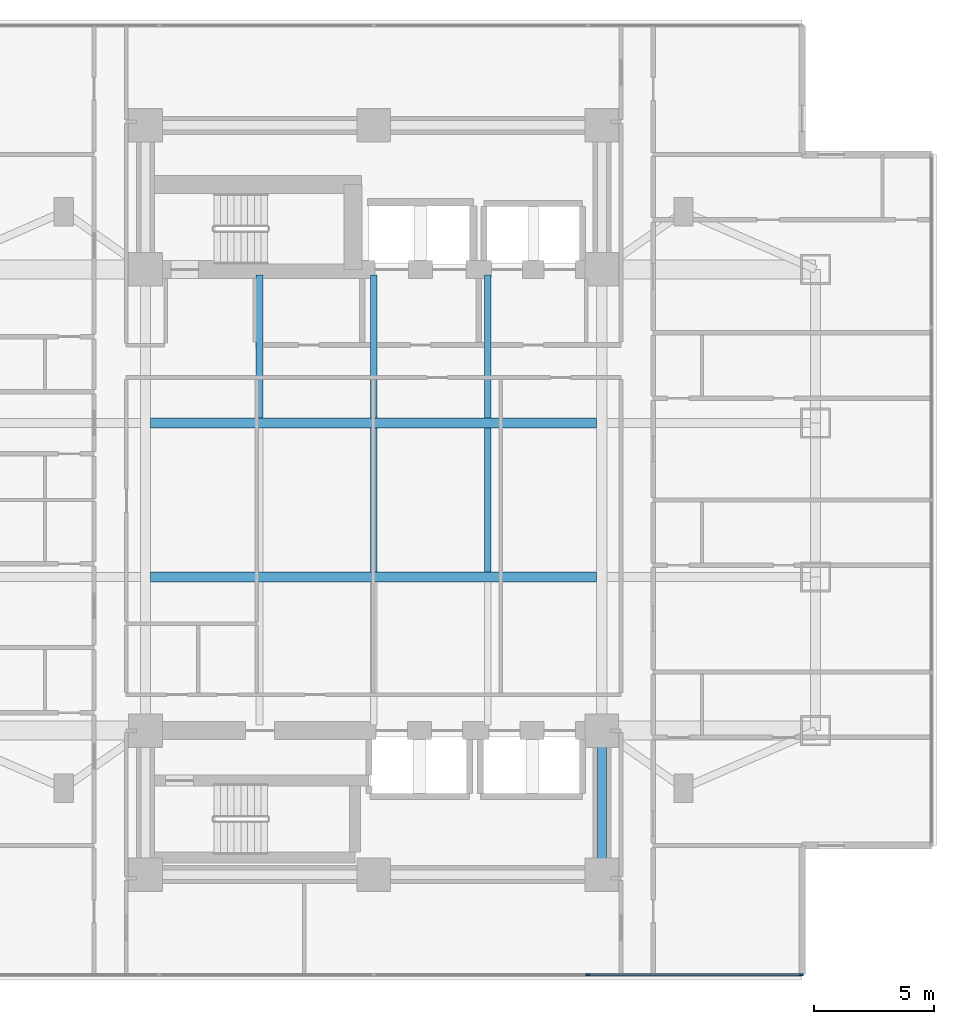
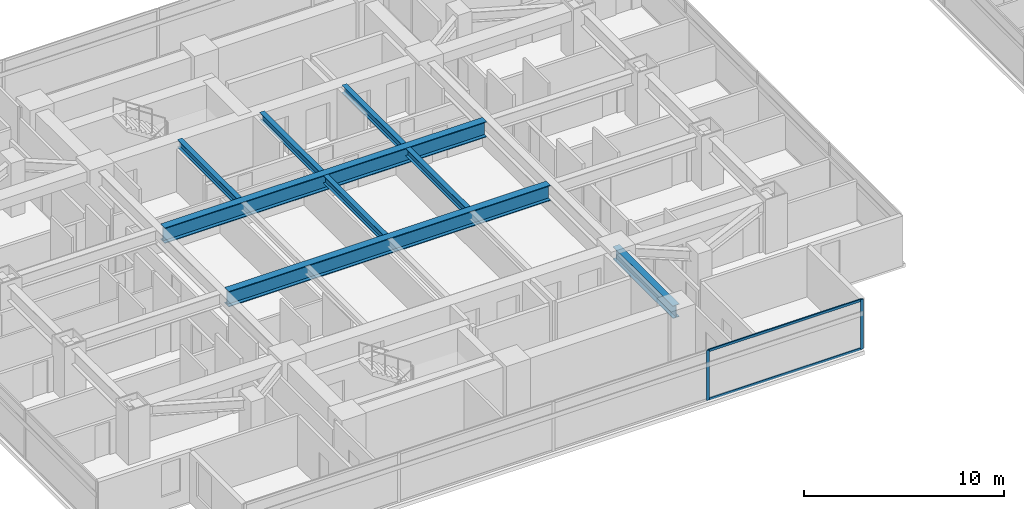
# One storey, part 4 of 26: 8 beams, 4 members, 1 element without a shape of its own.
"""IFC4 building model written with IfcOpenShell, lengths in metres."""

from ifc_helpers import new_model, si_unit, direction, frame, origin, origin_2d, place, context, subcontext, project, spatial, rectangle, i_section, extrude, material, material_profile, profile_set, type_object, element, aggregate, save


model = new_model("IFC4")

# Units and contexts
model_context = context("Model", 3, precision=1e-05, world=origin(), true_north=direction((0.0, 1.0)))
body_context = subcontext(model_context, "Body", "Model", "MODEL_VIEW")
ifc_project = project(units=[si_unit("LENGTHUNIT", "METRE"), si_unit("AREAUNIT", "SQUARE_METRE"), si_unit("VOLUMEUNIT", "CUBIC_METRE"), si_unit("PLANEANGLEUNIT", "RADIAN"), si_unit("MASSUNIT", "GRAM", prefix="KILO")], contexts=[model_context])

# Site, building, storey
site_placement = place(None, origin())
site = spatial("IfcSite", under=ifc_project, at=site_placement, CompositionType="ELEMENT")
building_placement = place(site_placement, origin())
building = spatial("IfcBuilding", under=site, at=building_placement, Name="Mirazonda Arch Towers", CompositionType="ELEMENT")
storey_placement = place(building_placement, frame((0.0, 0.0, 48.800048828125)))
storey = spatial("IfcBuildingStorey", under=building, at=storey_placement, Name="L13", CompositionType="ELEMENT", Elevation=48.800048828125)

# Beams
ifc_material_1 = material(Name="Steel ASTM A992 Grade 50", Category="steel")
ifc_material_profile_1 = material_profile(ifc_material_1, i_section(OverallWidth=0.280029296875, OverallDepth=0.462890625, WebThickness=0.0107421875, FlangeThickness=0.017333984375, at=origin_2d()), Name="W18X76")
ifc_profile_set_1 = profile_set([ifc_material_profile_1], Name="Steel ASTM A992 Grade 50")
beam_type_1 = type_object("IfcBeamType", Name="BM-INT-W18X76", PredefinedType="JOIST", material=ifc_profile_set_1)
for number, where, z_axis, x_axis, name in (
    (1, (15.75, 31.407470703125, 2.828369140625), (0.0, 1.0, 0.0), (-1.0, 0.0, 0.0), "L13 Floor Beam BM-T1-L13-J-157-31"),
    (2, (20.5, 31.407470703125, 2.828369140625), (0.0, 1.0, 0.0), (-1.0, 0.0, 0.0), "L13 Floor Beam BM-T1-L13-J-205-31"),
):
    element("IfcBeam", number, at=place(storey_placement, frame(where, z_axis=z_axis, x_axis=x_axis)), inside=storey, type_object=beam_type_1, Name=name, PredefinedType="JOIST", context=body_context, shape_type="SweptSolid", body=[
        extrude(i_section(OverallWidth=0.280029296875, OverallDepth=0.462890625, WebThickness=0.0107421875, FlangeThickness=0.017333984375, at=origin_2d()), origin(), (0.0, 0.0, 1.0), 5.95263671875),
    ])
beam_1_placement = place(storey_placement, frame((20.5, 25.007568359375, 2.828369140625), z_axis=(0.0, 1.0, 0.0), x_axis=(-1.0, 0.0, 0.0)))
element("IfcBeam", 3, at=beam_1_placement, inside=storey, type_object=beam_type_1, Name="L13 Floor Beam BM-T1-L13-J-205-24", PredefinedType="JOIST", context=body_context, shape_type="SweptSolid", body=[
    extrude(i_section(OverallWidth=0.280029296875, OverallDepth=0.462890625, WebThickness=0.0107421875, FlangeThickness=0.017333984375, at=origin_2d()), origin(), (0.0, 0.0, 1.0), 5.98486328125),
])
beam_2_placement = place(storey_placement, frame((25.25, 31.407470703125, 2.828369140625), z_axis=(0.0, 1.0, 0.0), x_axis=(-1.0, 0.0, 0.0)))
element("IfcBeam", 4, at=beam_2_placement, inside=storey, type_object=beam_type_1, Name="L13 Floor Beam BM-T1-L13-J-252-31", PredefinedType="JOIST", context=body_context, shape_type="SweptSolid", body=[
    extrude(i_section(OverallWidth=0.280029296875, OverallDepth=0.462890625, WebThickness=0.0107421875, FlangeThickness=0.017333984375, at=origin_2d()), origin(), (0.0, 0.0, 1.0), 5.95263671875),
])
beam_3_placement = place(storey_placement, frame((25.25, 25.007568359375, 2.828369140625), z_axis=(0.0, 1.0, 0.0), x_axis=(-1.0, 0.0, 0.0)))
element("IfcBeam", 5, at=beam_3_placement, inside=storey, type_object=beam_type_1, Name="L13 Floor Beam BM-T1-L13-J-252-24", PredefinedType="JOIST", context=body_context, shape_type="SweptSolid", body=[
    extrude(i_section(OverallWidth=0.280029296875, OverallDepth=0.462890625, WebThickness=0.0107421875, FlangeThickness=0.017333984375, at=origin_2d()), origin(), (0.0, 0.0, 1.0), 5.98486328125),
])
ifc_material_profile_2 = material_profile(ifc_material_1, i_section(OverallWidth=0.381103515625, OverallDepth=0.77294921875, WebThickness=0.0166015625, FlangeThickness=0.027099609375, at=origin_2d()), Name="W30X173")
ifc_profile_set_2 = profile_set([ifc_material_profile_2], Name="Steel ASTM A992 Grade 50")
beam_type_2 = type_object("IfcBeamType", Name="BM-INT-W30X173", PredefinedType="USERDEFINED", material=ifc_profile_set_2)
beam_4_placement = place(storey_placement, frame((30.0, 12.39990234375, 2.67333984375), z_axis=(0.0, 1.0, 0.0), x_axis=(-1.0, 0.0, 0.0)))
element("IfcBeam", 6, at=beam_4_placement, inside=storey, type_object=beam_type_2, Name="L13 Floor Beam BM-T1-L13-CSE", ObjectType="GIRDER", PredefinedType="USERDEFINED", context=body_context, shape_type="SweptSolid", body=[
    extrude(i_section(OverallWidth=0.381103515625, OverallDepth=0.77294921875, WebThickness=0.0166015625, FlangeThickness=0.027099609375, at=origin_2d()), origin(), (0.0, 0.0, 1.0), 6.0),
])
ifc_material_profile_3 = material_profile(ifc_material_1, i_section(OverallWidth=0.423095703125, OverallDepth=0.947998046875, WebThickness=0.02392578125, FlangeThickness=0.042724609375, at=origin_2d()), Name="W36X302")
ifc_profile_set_3 = profile_set([ifc_material_profile_3], Name="Steel ASTM A992 Grade 50")
beam_type_3 = type_object("IfcBeamType", Name="BM-INT-W36X302", PredefinedType="USERDEFINED", material=ifc_profile_set_3)
for number, where, z_axis, x_axis, name in (
    (7, (11.21142578125, 24.800048828125, 2.5859375), (1.0, 0.0, 0.0), (0.0, 1.0, 0.0), "L13 Floor Beam BM-T1-L13-GC2"),
    (8, (11.21142578125, 31.199951171875, 2.5859375), (1.0, 0.0, 0.0), (0.0, 1.0, 0.0), "L13 Floor Beam BM-T1-L13-GC3"),
):
    element("IfcBeam", number, at=place(storey_placement, frame(where, z_axis=z_axis, x_axis=x_axis)), inside=storey, type_object=beam_type_3, Name=name, ObjectType="GIRDER", PredefinedType="USERDEFINED", context=body_context, shape_type="SweptSolid", body=[
        extrude(i_section(OverallWidth=0.423095703125, OverallDepth=0.947998046875, WebThickness=0.02392578125, FlangeThickness=0.042724609375, at=origin_2d()), origin(), (0.0, 0.0, 1.0), 18.5771484375),
    ])

# Curtain wall, members
ifc_material_2 = material(Name="Anodised Aluminium and Low-E Glass", Category="aluminium")
curtain_wall_type = type_object("IfcCurtainWallType", Name="CW-HTL-UNIT", PredefinedType="NOTDEFINED", material=ifc_material_2)
curtain_wall_placement = place(storey_placement, origin())
curtain_wall = element("IfcCurtainWall", 9, at=curtain_wall_placement, inside=storey, type_object=curtain_wall_type, Name="L13 T1 S Facade CW-L13-T1-S", PredefinedType="NOTDEFINED")
ifc_material_3 = material(Name="Anodised Aluminium Alloy", Category="aluminium")
ifc_material_profile_4 = material_profile(ifc_material_3, rectangle(XDim=0.074951171875, YDim=0.1650390625, at=origin_2d()), Name="ALU-MULL-75x165")
ifc_profile_set_4 = profile_set([ifc_material_profile_4], Name="Anodised Aluminium Alloy")
member_type_1 = type_object("IfcMemberType", Name="MULL-CW-HTL-UNIT", PredefinedType="MULLION", material=ifc_profile_set_4)
member_1_placement = place(storey_placement, frame((38.302490234375, 8.236083984375, 0.0), z_axis=(0.0, 0.0, 1.0), x_axis=(0.0, -1.0, 0.0)))
member_1 = element("IfcMember", 10, at=member_1_placement, type_object=member_type_1, Name="CW-112 mullion 1", PredefinedType="MULLION", context=body_context, shape_type="SweptSolid", body=[
    extrude(rectangle(XDim=0.074951171875, YDim=0.1650390625, at=origin_2d()), origin(), (0.0, 0.0, 1.0), 3.0400390625),
])
member_2_placement = place(storey_placement, frame((29.419921875, 8.236083984375, 0.0), z_axis=(0.0, 0.0, 1.0), x_axis=(0.0, -1.0, 0.0)))
member_2 = element("IfcMember", 11, at=member_2_placement, type_object=member_type_1, Name="CW-112 mullion 2", PredefinedType="MULLION", context=body_context, shape_type="SweptSolid", body=[
    extrude(rectangle(XDim=0.074951171875, YDim=0.1650390625, at=origin_2d()), origin(), (0.0, 0.0, 1.0), 3.0400390625),
])
ifc_material_profile_5 = material_profile(ifc_material_3, rectangle(XDim=0.074951171875, YDim=0.14501953125, at=origin_2d()), Name="ALU-TRAN-75x145")
ifc_profile_set_5 = profile_set([ifc_material_profile_5], Name="Anodised Aluminium Alloy")
member_type_2 = type_object("IfcMemberType", Name="TRAN-CW-HTL-UNIT", PredefinedType="USERDEFINED", material=ifc_profile_set_5)
member_3_placement = place(storey_placement, frame((38.264892578125, 8.236083984375, 0.037353515625), z_axis=(-1.0, 0.0, 0.0), x_axis=(0.0, -1.0, 0.0)))
member_3 = element("IfcMember", 12, at=member_3_placement, type_object=member_type_2, Name="CW-112 transom 1.1", ObjectType="TRANSOM", PredefinedType="USERDEFINED", context=body_context, shape_type="SweptSolid", body=[
    extrude(rectangle(XDim=0.074951171875, YDim=0.14501953125, at=origin_2d()), origin(), (0.0, 0.0, 1.0), 8.807373046875),
])
member_4_placement = place(storey_placement, frame((38.264892578125, 8.236083984375, 3.00244140625), z_axis=(-1.0, 0.0, 0.0), x_axis=(0.0, -1.0, 0.0)))
member_4 = element("IfcMember", 13, at=member_4_placement, type_object=member_type_2, Name="CW-112 transom 1.2", ObjectType="TRANSOM", PredefinedType="USERDEFINED", context=body_context, shape_type="SweptSolid", body=[
    extrude(rectangle(XDim=0.074951171875, YDim=0.14501953125, at=origin_2d()), origin(), (0.0, 0.0, 1.0), 8.807373046875),
])
aggregate(curtain_wall, [member_1, member_2, member_3, member_4])

save(model, "model.ifc")
